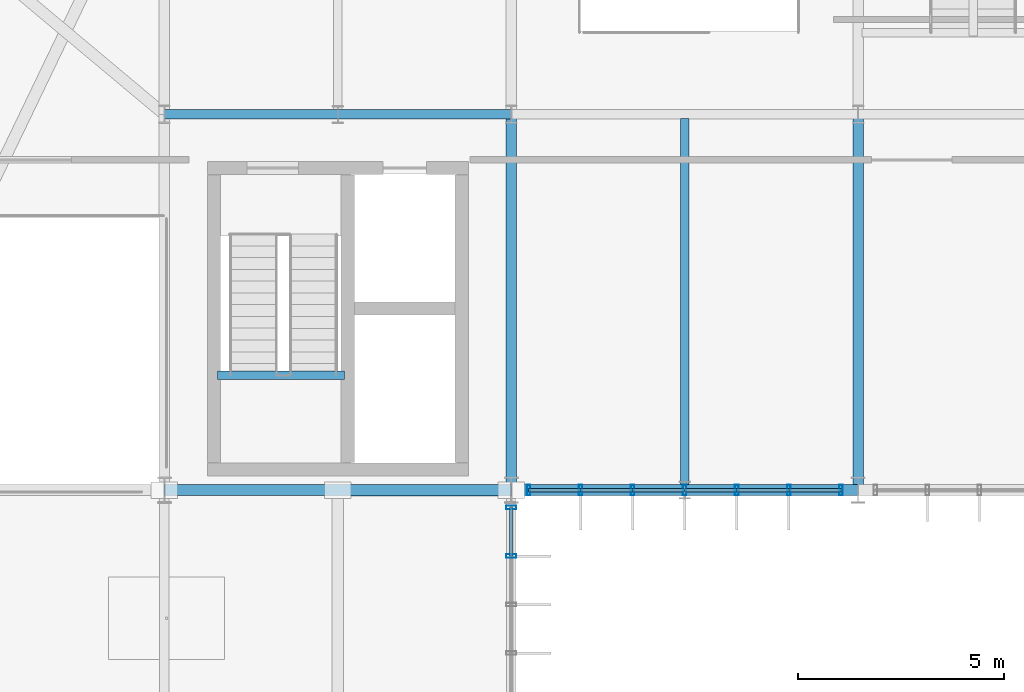
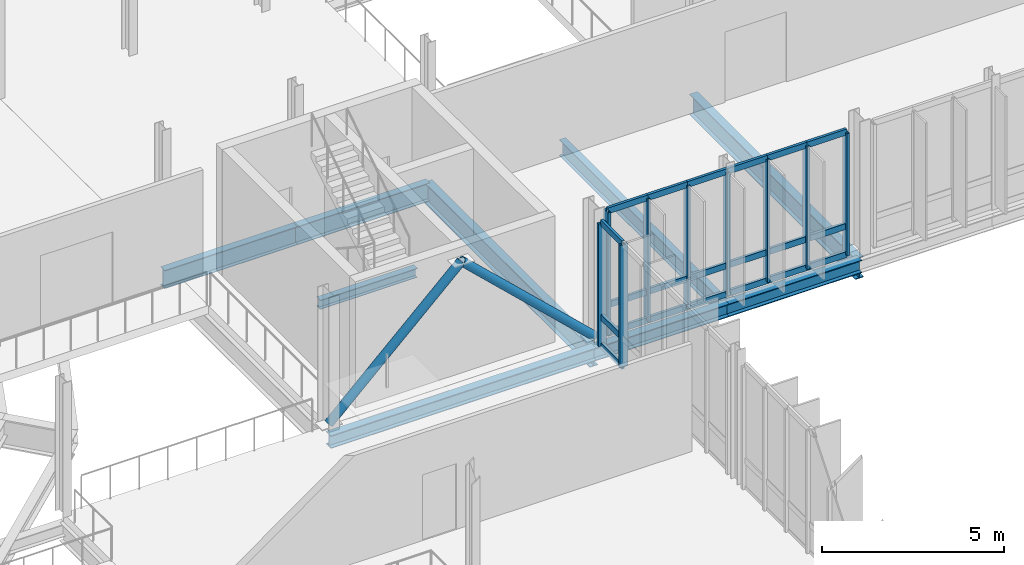
# One storey, part 38 of 139: 32 members, 9 beams, 2 elements without a shape of their own.
"""IFC4 building model written with IfcOpenShell, lengths in metres."""

from ifc_helpers import new_model, si_unit, derived_unit, direction, frame, origin, origin_2d, place, context, subcontext, project, spatial, hollow_rectangle, hollow_circle, i_section, extrude, material, layer, layer_set, material_profile, profile_set, type_object, element, aggregate, save


model = new_model("IFC4")

# Units and contexts
model_context = context("Model", 3, precision=1e-05, world=origin(), true_north=direction((0.0, 1.0)))
body_context = subcontext(model_context, "Body", "Model", "MODEL_VIEW")
ifc_project = project(units=[si_unit("LENGTHUNIT", "METRE"), si_unit("AREAUNIT", "SQUARE_METRE"), si_unit("VOLUMEUNIT", "CUBIC_METRE"), si_unit("PLANEANGLEUNIT", "RADIAN"), si_unit("MASSUNIT", "GRAM", prefix="KILO"), derived_unit("THERMALTRANSMITTANCEUNIT", [(si_unit("MASSUNIT", "GRAM", prefix="KILO"), 1), (si_unit("TIMEUNIT", "SECOND"), -3), (si_unit("THERMODYNAMICTEMPERATUREUNIT", "KELVIN"), -1)])], contexts=[model_context])

# Site, building, storey
site_placement = place(None, origin())
site = spatial("IfcSite", under=ifc_project, at=site_placement, CompositionType="ELEMENT")
building_placement = place(site_placement, origin())
building = spatial("IfcBuilding", under=site, at=building_placement, Name="Makaiwela Harbour Ferry Terminal", CompositionType="ELEMENT")
storey_placement = place(building_placement, frame((0.0, 0.0, 5.10009765625)))
storey = spatial("IfcBuildingStorey", under=building, at=storey_placement, Name="L01", CompositionType="ELEMENT", Elevation=5.10009765625)

# Curtain wall, members
ifc_material_1 = material(Name="Marine anodised aluminium 6063-T6", Category="aluminium")
ifc_layer_1 = layer(ifc_material_1, 0.199951171875)
ifc_layer_set_1 = layer_set([ifc_layer_1], Name="Marine anodised aluminium 6063-T6")
curtain_wall_type_1 = type_object("IfcCurtainWallType", Name="ENV-CW-08", PredefinedType="USERDEFINED", material=ifc_layer_set_1)
curtain_wall_1_placement = place(storey_placement, origin())
curtain_wall_1 = element("IfcCurtainWall", 1, at=curtain_wall_1_placement, inside=storey, type_object=curtain_wall_type_1, Name="Unitised Curtain Wall CWA-074", ObjectType="UNITIZED CURTAIN WALL", PredefinedType="USERDEFINED")
ifc_material_profile_1 = material_profile(ifc_material_1, hollow_rectangle(XDim=0.0849609375, YDim=0.25, WallThickness=0.0048828125, at=origin_2d()), Name="CWM-250X85")
ifc_profile_set_1 = profile_set([ifc_material_profile_1], Name="Marine anodised aluminium 6063-T6")
member_type_1 = type_object("IfcMemberType", Name="CW-MUL-250", PredefinedType="MULLION", material=ifc_profile_set_1)
member_1_placement = place(storey_placement, frame((79.3798828125, 49.39990234375, 0.0), z_axis=(0.0, 0.0, 1.0), x_axis=(1.0, 0.0, 0.0)))
member_1 = element("IfcMember", 2, at=member_1_placement, type_object=member_type_1, Name="Curtain Wall Mullion CWA-074-1", PredefinedType="MULLION", context=body_context, shape_type="SweptSolid", body=[
    extrude(hollow_rectangle(XDim=0.0849609375, YDim=0.25, WallThickness=0.0048828125, at=origin_2d()), origin(), (0.0, 0.0, 1.0), 4.099853515625),
])
member_2_placement = place(storey_placement, frame((78.1201171875, 49.39990234375, 0.0), z_axis=(0.0, 0.0, 1.0), x_axis=(1.0, 0.0, 0.0)))
member_2 = element("IfcMember", 3, at=member_2_placement, type_object=member_type_1, Name="Curtain Wall Mullion CWA-074-2", PredefinedType="MULLION", context=body_context, shape_type="SweptSolid", body=[
    extrude(hollow_rectangle(XDim=0.0849609375, YDim=0.25, WallThickness=0.0048828125, at=origin_2d()), origin(), (0.0, 0.0, 1.0), 4.099853515625),
])
member_3_placement = place(storey_placement, frame((76.860107421875, 49.39990234375, 0.0), z_axis=(0.0, 0.0, 1.0), x_axis=(1.0, 0.0, 0.0)))
member_3 = element("IfcMember", 4, at=member_3_placement, type_object=member_type_1, Name="Curtain Wall Mullion CWA-074-3", PredefinedType="MULLION", context=body_context, shape_type="SweptSolid", body=[
    extrude(hollow_rectangle(XDim=0.0849609375, YDim=0.25, WallThickness=0.0048828125, at=origin_2d()), origin(), (0.0, 0.0, 1.0), 4.099853515625),
])
member_4_placement = place(storey_placement, frame((75.60009765625, 49.39990234375, 0.0), z_axis=(0.0, 0.0, 1.0), x_axis=(1.0, 0.0, 0.0)))
member_4 = element("IfcMember", 5, at=member_4_placement, type_object=member_type_1, Name="Curtain Wall Mullion CWA-074-4", PredefinedType="MULLION", context=body_context, shape_type="SweptSolid", body=[
    extrude(hollow_rectangle(XDim=0.0849609375, YDim=0.25, WallThickness=0.0048828125, at=origin_2d()), origin(), (0.0, 0.0, 1.0), 4.099853515625),
])
member_5_placement = place(storey_placement, frame((74.340087890625, 49.39990234375, 0.0), z_axis=(0.0, 0.0, 1.0), x_axis=(1.0, 0.0, 0.0)))
member_5 = element("IfcMember", 6, at=member_5_placement, type_object=member_type_1, Name="Curtain Wall Mullion CWA-074-5", PredefinedType="MULLION", context=body_context, shape_type="SweptSolid", body=[
    extrude(hollow_rectangle(XDim=0.0849609375, YDim=0.25, WallThickness=0.0048828125, at=origin_2d()), origin(), (0.0, 0.0, 1.0), 4.099853515625),
])
member_6_placement = place(storey_placement, frame((73.080078125, 49.39990234375, 0.0), z_axis=(0.0, 0.0, 1.0), x_axis=(1.0, 0.0, 0.0)))
member_6 = element("IfcMember", 7, at=member_6_placement, type_object=member_type_1, Name="Curtain Wall Mullion CWA-074-6", PredefinedType="MULLION", context=body_context, shape_type="SweptSolid", body=[
    extrude(hollow_rectangle(XDim=0.0849609375, YDim=0.25, WallThickness=0.0048828125, at=origin_2d()), origin(), (0.0, 0.0, 1.0), 4.099853515625),
])
member_7_placement = place(storey_placement, frame((71.820068359375, 49.39990234375, 0.0), z_axis=(0.0, 0.0, 1.0), x_axis=(1.0, 0.0, 0.0)))
member_7 = element("IfcMember", 8, at=member_7_placement, type_object=member_type_1, Name="Curtain Wall Mullion CWA-074-7", PredefinedType="MULLION", context=body_context, shape_type="SweptSolid", body=[
    extrude(hollow_rectangle(XDim=0.0849609375, YDim=0.25, WallThickness=0.0048828125, at=origin_2d()), origin(), (0.0, 0.0, 1.0), 4.099853515625),
])

ifc_layer_2 = layer(ifc_material_1, 0.199951171875)
ifc_layer_set_2 = layer_set([ifc_layer_2], Name="Marine anodised aluminium 6063-T6")
curtain_wall_type_2 = type_object("IfcCurtainWallType", Name="ENV-CW-13", PredefinedType="USERDEFINED", material=ifc_layer_set_2)
curtain_wall_2_placement = place(storey_placement, origin())
curtain_wall_2 = element("IfcCurtainWall", 9, at=curtain_wall_2_placement, inside=storey, type_object=curtain_wall_type_2, Name="Unitised Curtain Wall CWA-112", ObjectType="UNITIZED CURTAIN WALL", PredefinedType="USERDEFINED")
member_8_placement = place(storey_placement, frame((71.39990234375, 48.97998046875, 0.0), z_axis=(0.0, 0.0, 1.0), x_axis=(0.0, 1.0, 0.0)))
member_8 = element("IfcMember", 10, at=member_8_placement, type_object=member_type_1, Name="Curtain Wall Mullion CWA-112-1", PredefinedType="MULLION", context=body_context, shape_type="SweptSolid", body=[
    extrude(hollow_rectangle(XDim=0.0849609375, YDim=0.25, WallThickness=0.0048828125, at=origin_2d()), origin(), (0.0, 0.0, 1.0), 4.099853515625),
])
member_9_placement = place(storey_placement, frame((71.39990234375, 47.80322265625, 0.0), z_axis=(0.0, 0.0, 1.0), x_axis=(0.0, 1.0, 0.0)))
member_9 = element("IfcMember", 11, at=member_9_placement, type_object=member_type_1, Name="Curtain Wall Mullion CWA-112-2", PredefinedType="MULLION", context=body_context, shape_type="SweptSolid", body=[
    extrude(hollow_rectangle(XDim=0.0849609375, YDim=0.25, WallThickness=0.0048828125, at=origin_2d()), origin(), (0.0, 0.0, 1.0), 4.099853515625),
])

# Member
ifc_material_profile_2 = material_profile(ifc_material_1, hollow_rectangle(XDim=0.0849609375, YDim=0.199951171875, WallThickness=0.0048828125, at=origin_2d()), Name="CWT-200X85")
ifc_profile_set_2 = profile_set([ifc_material_profile_2], Name="Marine anodised aluminium 6063-T6")
member_type_2 = type_object("IfcMemberType", Name="CW-TRN-200", PredefinedType="USERDEFINED", material=ifc_profile_set_2)
member_10_placement = place(storey_placement, frame((79.3798828125, 49.39990234375, 0.0), z_axis=(-1.0, 0.0, 0.0), x_axis=(0.0, -1.0, 0.0)))
member_10 = element("IfcMember", 12, at=member_10_placement, type_object=member_type_2, Name="Curtain Wall Transom CWA-074-1-1", ObjectType="TRANSOM", PredefinedType="USERDEFINED", context=body_context, shape_type="SweptSolid", body=[
    extrude(hollow_rectangle(XDim=0.0849609375, YDim=0.199951171875, WallThickness=0.0048828125, at=origin_2d()), origin(), (0.0, 0.0, 1.0), 1.259765625),
])

member_11_placement = place(storey_placement, frame((79.3798828125, 49.39990234375, 0.949951171875), z_axis=(-1.0, 0.0, 0.0), x_axis=(0.0, -1.0, 0.0)))
member_11 = element("IfcMember", 13, at=member_11_placement, type_object=member_type_2, Name="Curtain Wall Transom CWA-074-1-2", ObjectType="TRANSOM", PredefinedType="USERDEFINED", context=body_context, shape_type="SweptSolid", body=[
    extrude(hollow_rectangle(XDim=0.0849609375, YDim=0.199951171875, WallThickness=0.0048828125, at=origin_2d()), origin(), (0.0, 0.0, 1.0), 1.259765625),
])

member_12_placement = place(storey_placement, frame((79.3798828125, 49.39990234375, 4.099853515625), z_axis=(-1.0, 0.0, 0.0), x_axis=(0.0, -1.0, 0.0)))
member_12 = element("IfcMember", 14, at=member_12_placement, type_object=member_type_2, Name="Curtain Wall Transom CWA-074-1-3", ObjectType="TRANSOM", PredefinedType="USERDEFINED", context=body_context, shape_type="SweptSolid", body=[
    extrude(hollow_rectangle(XDim=0.0849609375, YDim=0.199951171875, WallThickness=0.0048828125, at=origin_2d()), origin(), (0.0, 0.0, 1.0), 1.259765625),
])

member_13_placement = place(storey_placement, frame((78.1201171875, 49.39990234375, 0.0), z_axis=(-1.0, 0.0, 0.0), x_axis=(0.0, -1.0, 0.0)))
member_13 = element("IfcMember", 15, at=member_13_placement, type_object=member_type_2, Name="Curtain Wall Transom CWA-074-2-1", ObjectType="TRANSOM", PredefinedType="USERDEFINED", context=body_context, shape_type="SweptSolid", body=[
    extrude(hollow_rectangle(XDim=0.0849609375, YDim=0.199951171875, WallThickness=0.0048828125, at=origin_2d()), origin(), (0.0, 0.0, 1.0), 1.260009765625),
])

member_14_placement = place(storey_placement, frame((78.1201171875, 49.39990234375, 0.949951171875), z_axis=(-1.0, 0.0, 0.0), x_axis=(0.0, -1.0, 0.0)))
member_14 = element("IfcMember", 16, at=member_14_placement, type_object=member_type_2, Name="Curtain Wall Transom CWA-074-2-2", ObjectType="TRANSOM", PredefinedType="USERDEFINED", context=body_context, shape_type="SweptSolid", body=[
    extrude(hollow_rectangle(XDim=0.0849609375, YDim=0.199951171875, WallThickness=0.0048828125, at=origin_2d()), origin(), (0.0, 0.0, 1.0), 1.260009765625),
])

member_15_placement = place(storey_placement, frame((78.1201171875, 49.39990234375, 4.099853515625), z_axis=(-1.0, 0.0, 0.0), x_axis=(0.0, -1.0, 0.0)))
member_15 = element("IfcMember", 17, at=member_15_placement, type_object=member_type_2, Name="Curtain Wall Transom CWA-074-2-3", ObjectType="TRANSOM", PredefinedType="USERDEFINED", context=body_context, shape_type="SweptSolid", body=[
    extrude(hollow_rectangle(XDim=0.0849609375, YDim=0.199951171875, WallThickness=0.0048828125, at=origin_2d()), origin(), (0.0, 0.0, 1.0), 1.260009765625),
])

member_16_placement = place(storey_placement, frame((76.860107421875, 49.39990234375, 0.0), z_axis=(-1.0, 0.0, 0.0), x_axis=(0.0, -1.0, 0.0)))
member_16 = element("IfcMember", 18, at=member_16_placement, type_object=member_type_2, Name="Curtain Wall Transom CWA-074-3-1", ObjectType="TRANSOM", PredefinedType="USERDEFINED", context=body_context, shape_type="SweptSolid", body=[
    extrude(hollow_rectangle(XDim=0.0849609375, YDim=0.199951171875, WallThickness=0.0048828125, at=origin_2d()), origin(), (0.0, 0.0, 1.0), 1.260009765625),
])

member_17_placement = place(storey_placement, frame((76.860107421875, 49.39990234375, 0.949951171875), z_axis=(-1.0, 0.0, 0.0), x_axis=(0.0, -1.0, 0.0)))
member_17 = element("IfcMember", 19, at=member_17_placement, type_object=member_type_2, Name="Curtain Wall Transom CWA-074-3-2", ObjectType="TRANSOM", PredefinedType="USERDEFINED", context=body_context, shape_type="SweptSolid", body=[
    extrude(hollow_rectangle(XDim=0.0849609375, YDim=0.199951171875, WallThickness=0.0048828125, at=origin_2d()), origin(), (0.0, 0.0, 1.0), 1.260009765625),
])

member_18_placement = place(storey_placement, frame((76.860107421875, 49.39990234375, 4.099853515625), z_axis=(-1.0, 0.0, 0.0), x_axis=(0.0, -1.0, 0.0)))
member_18 = element("IfcMember", 20, at=member_18_placement, type_object=member_type_2, Name="Curtain Wall Transom CWA-074-3-3", ObjectType="TRANSOM", PredefinedType="USERDEFINED", context=body_context, shape_type="SweptSolid", body=[
    extrude(hollow_rectangle(XDim=0.0849609375, YDim=0.199951171875, WallThickness=0.0048828125, at=origin_2d()), origin(), (0.0, 0.0, 1.0), 1.260009765625),
])

member_19_placement = place(storey_placement, frame((75.60009765625, 49.39990234375, 0.0), z_axis=(-1.0, 0.0, 0.0), x_axis=(0.0, -1.0, 0.0)))
member_19 = element("IfcMember", 21, at=member_19_placement, type_object=member_type_2, Name="Curtain Wall Transom CWA-074-4-1", ObjectType="TRANSOM", PredefinedType="USERDEFINED", context=body_context, shape_type="SweptSolid", body=[
    extrude(hollow_rectangle(XDim=0.0849609375, YDim=0.199951171875, WallThickness=0.0048828125, at=origin_2d()), origin(), (0.0, 0.0, 1.0), 1.260009765625),
])

member_20_placement = place(storey_placement, frame((75.60009765625, 49.39990234375, 0.949951171875), z_axis=(-1.0, 0.0, 0.0), x_axis=(0.0, -1.0, 0.0)))
member_20 = element("IfcMember", 22, at=member_20_placement, type_object=member_type_2, Name="Curtain Wall Transom CWA-074-4-2", ObjectType="TRANSOM", PredefinedType="USERDEFINED", context=body_context, shape_type="SweptSolid", body=[
    extrude(hollow_rectangle(XDim=0.0849609375, YDim=0.199951171875, WallThickness=0.0048828125, at=origin_2d()), origin(), (0.0, 0.0, 1.0), 1.260009765625),
])

member_21_placement = place(storey_placement, frame((75.60009765625, 49.39990234375, 4.099853515625), z_axis=(-1.0, 0.0, 0.0), x_axis=(0.0, -1.0, 0.0)))
member_21 = element("IfcMember", 23, at=member_21_placement, type_object=member_type_2, Name="Curtain Wall Transom CWA-074-4-3", ObjectType="TRANSOM", PredefinedType="USERDEFINED", context=body_context, shape_type="SweptSolid", body=[
    extrude(hollow_rectangle(XDim=0.0849609375, YDim=0.199951171875, WallThickness=0.0048828125, at=origin_2d()), origin(), (0.0, 0.0, 1.0), 1.260009765625),
])

member_22_placement = place(storey_placement, frame((74.340087890625, 49.39990234375, 0.0), z_axis=(-1.0, 0.0, 0.0), x_axis=(0.0, -1.0, 0.0)))
member_22 = element("IfcMember", 24, at=member_22_placement, type_object=member_type_2, Name="Curtain Wall Transom CWA-074-5-1", ObjectType="TRANSOM", PredefinedType="USERDEFINED", context=body_context, shape_type="SweptSolid", body=[
    extrude(hollow_rectangle(XDim=0.0849609375, YDim=0.199951171875, WallThickness=0.0048828125, at=origin_2d()), origin(), (0.0, 0.0, 1.0), 1.260009765625),
])

member_23_placement = place(storey_placement, frame((74.340087890625, 49.39990234375, 0.949951171875), z_axis=(-1.0, 0.0, 0.0), x_axis=(0.0, -1.0, 0.0)))
member_23 = element("IfcMember", 25, at=member_23_placement, type_object=member_type_2, Name="Curtain Wall Transom CWA-074-5-2", ObjectType="TRANSOM", PredefinedType="USERDEFINED", context=body_context, shape_type="SweptSolid", body=[
    extrude(hollow_rectangle(XDim=0.0849609375, YDim=0.199951171875, WallThickness=0.0048828125, at=origin_2d()), origin(), (0.0, 0.0, 1.0), 1.260009765625),
])

member_24_placement = place(storey_placement, frame((74.340087890625, 49.39990234375, 4.099853515625), z_axis=(-1.0, 0.0, 0.0), x_axis=(0.0, -1.0, 0.0)))
member_24 = element("IfcMember", 26, at=member_24_placement, type_object=member_type_2, Name="Curtain Wall Transom CWA-074-5-3", ObjectType="TRANSOM", PredefinedType="USERDEFINED", context=body_context, shape_type="SweptSolid", body=[
    extrude(hollow_rectangle(XDim=0.0849609375, YDim=0.199951171875, WallThickness=0.0048828125, at=origin_2d()), origin(), (0.0, 0.0, 1.0), 1.260009765625),
])

member_25_placement = place(storey_placement, frame((73.080078125, 49.39990234375, 0.0), z_axis=(-1.0, 0.0, 0.0), x_axis=(0.0, -1.0, 0.0)))
member_25 = element("IfcMember", 27, at=member_25_placement, type_object=member_type_2, Name="Curtain Wall Transom CWA-074-6-1", ObjectType="TRANSOM", PredefinedType="USERDEFINED", context=body_context, shape_type="SweptSolid", body=[
    extrude(hollow_rectangle(XDim=0.0849609375, YDim=0.199951171875, WallThickness=0.0048828125, at=origin_2d()), origin(), (0.0, 0.0, 1.0), 1.260009765625),
])

member_26_placement = place(storey_placement, frame((73.080078125, 49.39990234375, 0.949951171875), z_axis=(-1.0, 0.0, 0.0), x_axis=(0.0, -1.0, 0.0)))
member_26 = element("IfcMember", 28, at=member_26_placement, type_object=member_type_2, Name="Curtain Wall Transom CWA-074-6-2", ObjectType="TRANSOM", PredefinedType="USERDEFINED", context=body_context, shape_type="SweptSolid", body=[
    extrude(hollow_rectangle(XDim=0.0849609375, YDim=0.199951171875, WallThickness=0.0048828125, at=origin_2d()), origin(), (0.0, 0.0, 1.0), 1.260009765625),
])

member_27_placement = place(storey_placement, frame((73.080078125, 49.39990234375, 4.099853515625), z_axis=(-1.0, 0.0, 0.0), x_axis=(0.0, -1.0, 0.0)))
member_27 = element("IfcMember", 29, at=member_27_placement, type_object=member_type_2, Name="Curtain Wall Transom CWA-074-6-3", ObjectType="TRANSOM", PredefinedType="USERDEFINED", context=body_context, shape_type="SweptSolid", body=[
    extrude(hollow_rectangle(XDim=0.0849609375, YDim=0.199951171875, WallThickness=0.0048828125, at=origin_2d()), origin(), (0.0, 0.0, 1.0), 1.260009765625),
])

aggregate(curtain_wall_1, [member_1, member_2, member_3, member_4, member_5, member_6, member_7, member_10, member_11, member_12, member_13, member_14, member_15, member_16, member_17, member_18, member_19, member_20, member_21, member_22, member_23, member_24, member_25, member_26, member_27])

member_28_placement = place(storey_placement, frame((71.39990234375, 48.97998046875, 0.0), z_axis=(0.0, -1.0, 0.0), x_axis=(1.0, 0.0, 0.0)))
member_28 = element("IfcMember", 30, at=member_28_placement, type_object=member_type_2, Name="Curtain Wall Transom CWA-112-1-1", ObjectType="TRANSOM", PredefinedType="USERDEFINED", context=body_context, shape_type="SweptSolid", body=[
    extrude(hollow_rectangle(XDim=0.0849609375, YDim=0.199951171875, WallThickness=0.0048828125, at=origin_2d()), origin(), (0.0, 0.0, 1.0), 1.1767578125),
])

member_29_placement = place(storey_placement, frame((71.39990234375, 48.97998046875, 0.949951171875), z_axis=(0.0, -1.0, 0.0), x_axis=(1.0, 0.0, 0.0)))
member_29 = element("IfcMember", 31, at=member_29_placement, type_object=member_type_2, Name="Curtain Wall Transom CWA-112-1-2", ObjectType="TRANSOM", PredefinedType="USERDEFINED", context=body_context, shape_type="SweptSolid", body=[
    extrude(hollow_rectangle(XDim=0.0849609375, YDim=0.199951171875, WallThickness=0.0048828125, at=origin_2d()), origin(), (0.0, 0.0, 1.0), 1.1767578125),
])

member_30_placement = place(storey_placement, frame((71.39990234375, 48.97998046875, 4.099853515625), z_axis=(0.0, -1.0, 0.0), x_axis=(1.0, 0.0, 0.0)))
member_30 = element("IfcMember", 32, at=member_30_placement, type_object=member_type_2, Name="Curtain Wall Transom CWA-112-1-3", ObjectType="TRANSOM", PredefinedType="USERDEFINED", context=body_context, shape_type="SweptSolid", body=[
    extrude(hollow_rectangle(XDim=0.0849609375, YDim=0.199951171875, WallThickness=0.0048828125, at=origin_2d()), origin(), (0.0, 0.0, 1.0), 1.1767578125),
])

aggregate(curtain_wall_2, [member_8, member_9, member_28, member_29, member_30])

# Beam
ifc_material_2 = material(Name="Steel ASTM A992 Grade 50", Category="steel")
ifc_material_profile_3 = material_profile(ifc_material_2, i_section(OverallWidth=0.2099609375, OverallDepth=0.537109375, WebThickness=0.010986328125, FlangeThickness=0.017333984375, at=origin_2d()), Name="W21X68")
ifc_profile_set_3 = profile_set([ifc_material_profile_3], Name="Steel ASTM A992 Grade 50")
beam_type_1 = type_object("IfcBeamType", Name="STR-BM-W21X68", PredefinedType="BEAM", material=ifc_profile_set_3)
beam_1_placement = place(storey_placement, frame((75.60009765625, 49.514404296875, -0.548583984375), z_axis=(0.0, 1.0, 0.0), x_axis=(-1.0, 0.0, 0.0)))
element("IfcBeam", 33, at=beam_1_placement, inside=storey, type_object=beam_type_1, Name="Secondary floor beam 1089", PredefinedType="BEAM", context=body_context, shape_type="SweptSolid", body=[
    extrude(i_section(OverallWidth=0.2099609375, OverallDepth=0.537109375, WebThickness=0.010986328125, FlangeThickness=0.017333984375, at=origin_2d()), origin(), (0.0, 0.0, 1.0), 8.88916015625),
])

# Members
ifc_material_3 = material(Name="Steel ASTM A500 Grade C", Category="steel")
ifc_material_profile_4 = material_profile(ifc_material_3, hollow_circle(Radius=0.136474609375, WallThickness=0.0126953125, at=origin_2d()), Name="PIPE10XS")
ifc_profile_set_4 = profile_set([ifc_material_profile_4], Name="Steel ASTM A500 Grade C")
member_type_3 = type_object("IfcMemberType", Name="STR-BRC-PIPE10", PredefinedType="BRACE", material=ifc_profile_set_4)
for number, where, z_axis, x_axis, name in (
    (34, (63.0, 49.39990234375, 0.0498046875), (0.726323134736, 0.0, 0.687353405424), (0.0, 1.0, 0.0), "Lateral chevron brace 11A"),
    (35, (71.39990234375, 49.39990234375, 0.0498046875), (-0.726323134736, 0.0, 0.687353405424), (0.0, -1.0, 0.0), "Lateral chevron brace 11B"),
):
    element("IfcMember", number, at=place(storey_placement, frame(where, z_axis=z_axis, x_axis=x_axis)), inside=storey, type_object=member_type_3, Name=name, PredefinedType="BRACE", context=body_context, shape_type="SweptSolid", body=[
        extrude(hollow_circle(Radius=0.136474609375, WallThickness=0.0126953125, at=origin_2d()), origin(), (0.0, 0.0, 1.0), 5.782470703125),
    ])

# Beams
ifc_material_profile_5 = material_profile(ifc_material_2, i_section(OverallWidth=0.22900390625, OverallDepth=0.612060546875, WebThickness=0.011962890625, FlangeThickness=0.01953125, at=origin_2d()), Name="W24X84")
ifc_profile_set_5 = profile_set([ifc_material_profile_5], Name="Steel ASTM A992 Grade 50")
beam_type_2 = type_object("IfcBeamType", Name="STR-GRD-W24X84", PredefinedType="USERDEFINED", material=ifc_profile_set_5)
for number, where, z_axis, x_axis, name in (
    (36, (63.0, 58.5, -0.586181640625), (1.0, 0.0, 0.0), (0.0, 1.0, 0.0), "Primary X girder 829"),
    (37, (67.199951171875, 58.5, -0.586181640625), (1.0, 0.0, 0.0), (0.0, 1.0, 0.0), "Primary X girder 830"),
):
    element("IfcBeam", number, at=place(storey_placement, frame(where, z_axis=z_axis, x_axis=x_axis)), inside=storey, type_object=beam_type_2, Name=name, ObjectType="GIRDER", PredefinedType="USERDEFINED", context=body_context, shape_type="SweptSolid", body=[
        extrude(i_section(OverallWidth=0.22900390625, OverallDepth=0.612060546875, WebThickness=0.011962890625, FlangeThickness=0.01953125, at=origin_2d()), origin(), (0.0, 0.0, 1.0), 4.199951171875),
    ])
ifc_material_profile_6 = material_profile(ifc_material_2, i_section(OverallWidth=0.256103515625, OverallDepth=0.693115234375, WebThickness=0.014404296875, FlangeThickness=0.023681640625, at=origin_2d()), Name="W27X114")
ifc_profile_set_6 = profile_set([ifc_material_profile_6], Name="Steel ASTM A992 Grade 50")
beam_type_3 = type_object("IfcBeamType", Name="STR-GRD-W27X114", PredefinedType="USERDEFINED", material=ifc_profile_set_6)
for number, where, z_axis, x_axis, name in (
    (38, (71.39990234375, 49.39990234375, -0.626708984375), (0.0, 1.0, 0.0), (-1.0, 0.0, 0.0), "Primary Y girder 940"),
    (39, (79.800048828125, 49.39990234375, -0.626708984375), (0.0, 1.0, 0.0), (-1.0, 0.0, 0.0), "Primary Y girder 950"),
):
    element("IfcBeam", number, at=place(storey_placement, frame(where, z_axis=z_axis, x_axis=x_axis)), inside=storey, type_object=beam_type_3, Name=name, ObjectType="GIRDER", PredefinedType="USERDEFINED", context=body_context, shape_type="SweptSolid", body=[
        extrude(i_section(OverallWidth=0.256103515625, OverallDepth=0.693115234375, WebThickness=0.014404296875, FlangeThickness=0.023681640625, at=origin_2d()), origin(), (0.0, 0.0, 1.0), 9.10009765625),
    ])
ifc_material_profile_7 = material_profile(ifc_material_2, i_section(OverallWidth=0.205078125, OverallDepth=0.31005859375, WebThickness=0.009521484375, FlangeThickness=0.016357421875, at=origin_2d()), Name="W12X50")
ifc_profile_set_7 = profile_set([ifc_material_profile_7], Name="Steel ASTM A992 Grade 50")
beam_type_4 = type_object("IfcBeamType", Name="STR-LNT-W12X50", PredefinedType="LINTEL", material=ifc_profile_set_7)
beam_2_placement = place(storey_placement, frame((64.284912109375, 52.179931640625, 1.94482421875), z_axis=(1.0, 0.0, 0.0), x_axis=(0.0, 1.0, 0.0)))
element("IfcBeam", 40, at=beam_2_placement, inside=storey, type_object=beam_type_4, Name="Stair Landing Beam ST-04-L01", PredefinedType="LINTEL", context=body_context, shape_type="SweptSolid", body=[
    extrude(i_section(OverallWidth=0.205078125, OverallDepth=0.31005859375, WebThickness=0.009521484375, FlangeThickness=0.016357421875, at=origin_2d()), origin(), (0.0, 0.0, 1.0), 3.070068359375),
])
ifc_material_profile_8 = material_profile(ifc_material_2, i_section(OverallWidth=0.264892578125, OverallDepth=0.430908203125, WebThickness=0.014892578125, FlangeThickness=0.02490234375, at=origin_2d()), Name="W16X100")
ifc_profile_set_8 = profile_set([ifc_material_profile_8], Name="Steel ASTM A992 Grade 50")
beam_type_5 = type_object("IfcBeamType", Name="STR-SPN-W16X100", PredefinedType="SPANDREL", material=ifc_profile_set_8)
beam_3_placement = place(storey_placement, frame((63.0, 49.39990234375, -0.49560546875), z_axis=(1.0, 0.0, 0.0), x_axis=(0.0, 1.0, 0.0)))
element("IfcBeam", 41, at=beam_3_placement, inside=storey, type_object=beam_type_5, Name="Primary X girder 809", PredefinedType="SPANDREL", context=body_context, shape_type="SweptSolid", body=[
    extrude(i_section(OverallWidth=0.264892578125, OverallDepth=0.430908203125, WebThickness=0.014892578125, FlangeThickness=0.02490234375, at=origin_2d()), origin(), (0.0, 0.0, 1.0), 8.39990234375),
])
beam_4_placement = place(storey_placement, frame((71.39990234375, 49.39990234375, -0.49560546875), z_axis=(1.0, 0.0, 0.0), x_axis=(0.0, 1.0, 0.0)))
element("IfcBeam", 42, at=beam_4_placement, inside=storey, type_object=beam_type_5, Name="Primary X girder 810", PredefinedType="SPANDREL", context=body_context, shape_type="SweptSolid", body=[
    extrude(i_section(OverallWidth=0.264892578125, OverallDepth=0.430908203125, WebThickness=0.014892578125, FlangeThickness=0.02490234375, at=origin_2d()), origin(), (0.0, 0.0, 1.0), 4.2001953125),
])
beam_5_placement = place(storey_placement, frame((75.60009765625, 49.39990234375, -0.49560546875), z_axis=(1.0, 0.0, 0.0), x_axis=(0.0, 1.0, 0.0)))
element("IfcBeam", 43, at=beam_5_placement, inside=storey, type_object=beam_type_5, Name="Primary X girder 811", PredefinedType="SPANDREL", context=body_context, shape_type="SweptSolid", body=[
    extrude(i_section(OverallWidth=0.264892578125, OverallDepth=0.430908203125, WebThickness=0.014892578125, FlangeThickness=0.02490234375, at=origin_2d()), origin(), (0.0, 0.0, 1.0), 4.199951171875),
])

save(model, "model.ifc")
